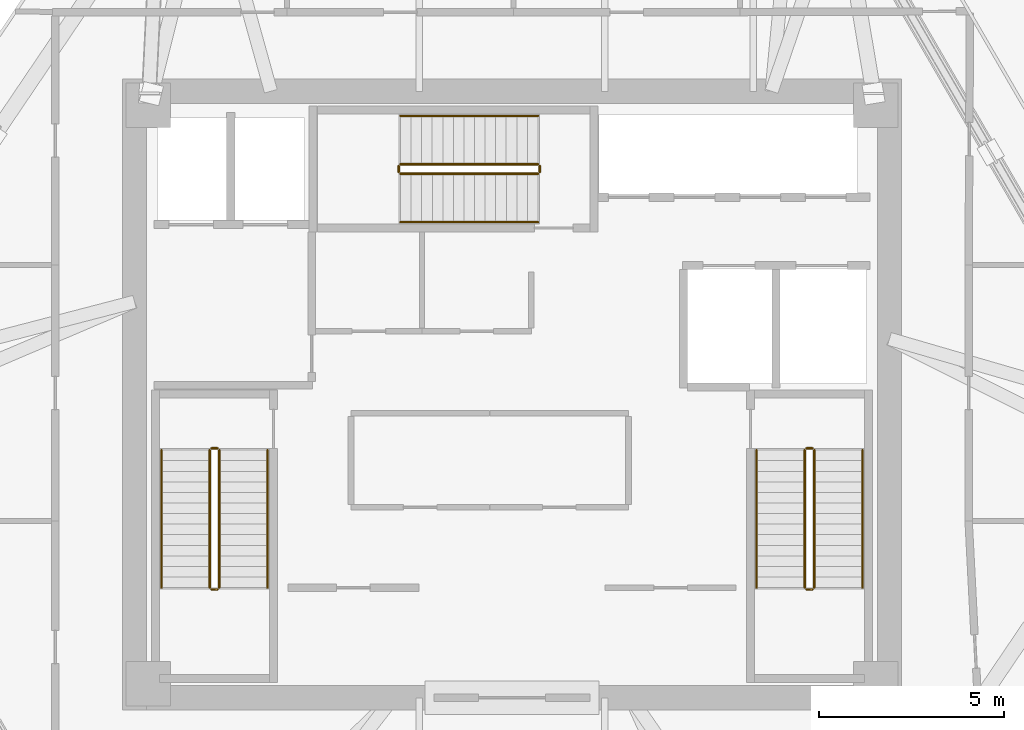
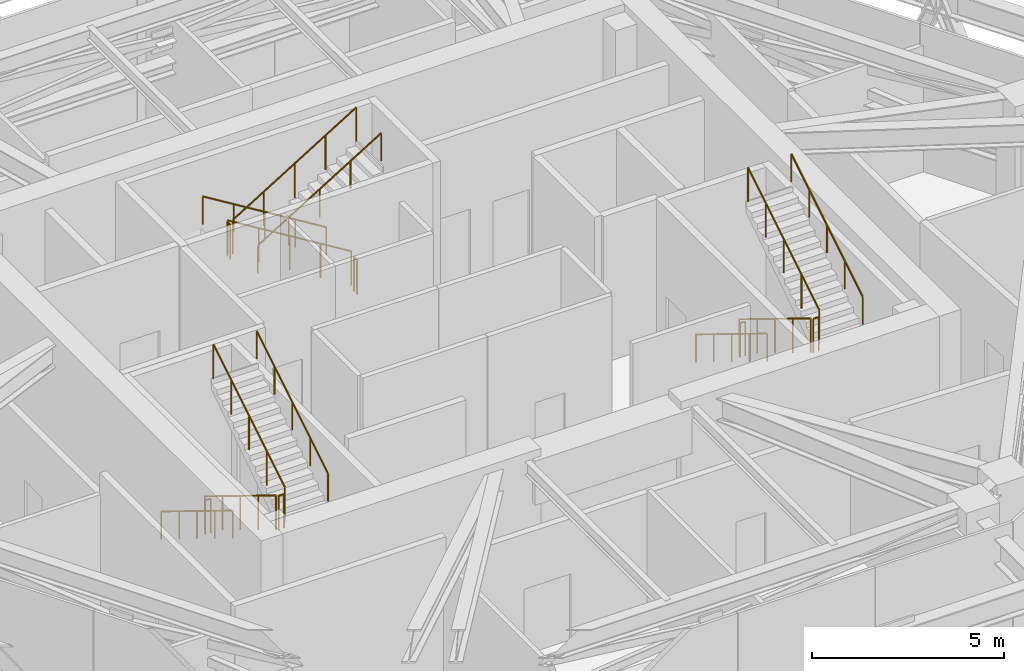
# One storey, part 10 of 10: 18 railings.
"""IFC4 building model written with IfcOpenShell, lengths in metres."""

import ifcopenshell
import ifcopenshell.guid

model = None  # the IFC model being written
_history = None  # IfcOwnerHistory: only IFC2X3 demands one
_inside = {}  # id of a spatial element -> (the spatial element, [elements in it])
_under = {}  # id of a project, library or spatial element -> (it, [spatial elements below it])
_declared = {}  # id of a project -> (the project, [libraries it declares])
_typed = {}  # id of a type object -> (the type object, [elements of that type])
_made_of = {}  # id of a material, layer set ... -> (it, [elements and type objects made of it])


def new_model(schema):
    """Start an empty IFC model of exactly this schema.

    Asked for "IFC4X3", IfcOpenShell would pick the latest addendum, in which some entities
    have other attributes; the version numbers below select the first issue.
    IFC2X3 requires an IfcOwnerHistory on every rooted entity: one is made here for all.
    """
    global model, _history
    if schema == "IFC4X3":
        model = ifcopenshell.file(schema_version=(4, 3, 0, 0))
    else:
        model = ifcopenshell.file(schema=schema)
    _inside.clear()
    _under.clear()
    _declared.clear()
    _typed.clear()
    _made_of.clear()
    _history = None
    if model.schema == "IFC2X3":
        org = make("IfcOrganization", Name="unknown")
        user = make(
            "IfcPersonAndOrganization",
            ThePerson=make("IfcPerson", FamilyName="unknown"),
            TheOrganization=org,
        )
        app = make(
            "IfcApplication",
            ApplicationDeveloper=org,
            Version="unknown",
            ApplicationFullName="unknown",
            ApplicationIdentifier="unknown",
        )
        _history = make(
            "IfcOwnerHistory",
            OwningUser=user,
            OwningApplication=app,
            ChangeAction="ADDED",
            CreationDate=0,
        )
    return model


def make(cls, **values):
    """One entity of the class cls with the attributes given. An attribute that is None is left unset."""
    return model.create_entity(
        cls, **{name: value for name, value in values.items() if value is not None}
    )


def rooted(cls, **values):
    """An entity with a GlobalId (a new one), such as an element, a storey or a relation."""
    return make(cls, GlobalId=ifcopenshell.guid.new(), OwnerHistory=_history, **values)


def si_unit(unit_type, name, prefix=None):
    """IfcSIUnit, for example si_unit("LENGTHUNIT", "METRE", prefix="MILLI")."""
    return make("IfcSIUnit", UnitType=unit_type, Prefix=prefix, Name=name)


def assignment(units):
    """IfcUnitAssignment: the units of a project."""
    return None if units is None else make("IfcUnitAssignment", Units=units)


def point(xyz):
    """IfcCartesianPoint."""
    return None if xyz is None else make("IfcCartesianPoint", Coordinates=xyz)


def direction(xyz):
    """IfcDirection."""
    return None if xyz is None else make("IfcDirection", DirectionRatios=xyz)


def frame(location, z_axis=None, x_axis=None):
    """IfcAxis2Placement3D, a coordinate frame: its origin and axes. An axis left out is left unset."""
    return make(
        "IfcAxis2Placement3D",
        Location=point(location),
        Axis=direction(z_axis),
        RefDirection=direction(x_axis),
    )


def frame_2d(location, x_axis=None):
    """IfcAxis2Placement2D, a coordinate frame in the plane: its origin and x axis."""
    return make(
        "IfcAxis2Placement2D", Location=point(location), RefDirection=direction(x_axis)
    )


def origin():
    """The frame at (0, 0, 0) with its axes left unset."""
    return frame((0.0, 0.0, 0.0))


def origin_2d():
    """The frame at (0, 0) in the plane with its x axis left unset."""
    return frame_2d((0.0, 0.0))


def place(relative_to, where):
    """IfcLocalPlacement: puts the frame where relative to a parent placement (None: the world)."""
    return make(
        "IfcLocalPlacement", PlacementRelTo=relative_to, RelativePlacement=where
    )


def context(
    kind, dimensions, precision=None, world=None, true_north=None, identifier=None
):
    """IfcGeometricRepresentationContext, for example the 3D "Model" context."""
    return make(
        "IfcGeometricRepresentationContext",
        ContextIdentifier=identifier,
        ContextType=kind,
        CoordinateSpaceDimension=dimensions,
        Precision=precision,
        WorldCoordinateSystem=world,
        TrueNorth=true_north,
    )


def subcontext(parent, identifier, kind, view, scale=None):
    """IfcGeometricRepresentationSubContext, for example "Body" below "Model"."""
    return make(
        "IfcGeometricRepresentationSubContext",
        ContextIdentifier=identifier,
        ContextType=kind,
        ParentContext=parent,
        TargetScale=scale,
        TargetView=view,
    )


def project(units=None, contexts=None):
    """IfcProject with its units and contexts."""
    return rooted(
        "IfcProject",
        Name="project",
        RepresentationContexts=contexts,
        UnitsInContext=assignment(units),
    )


def spatial(cls, under=None, at=None, **own):
    """A site, building, storey or space (cls), placed at a placement, below another one or the project."""
    s = rooted(cls, ObjectPlacement=at, **own)
    if under is not None:
        _under.setdefault(under.id(), (under, []))[1].append(s)
    return s


def profile(cls, at=None, kind="AREA", **sizes):
    """A parametric profile (cls). Its sizes go by their IFC names, for example OverallWidth=200.0."""
    return make(cls, ProfileType=kind, Position=at, **sizes)


def circle(**sizes):
    """IfcCircleProfileDef."""
    return profile("IfcCircleProfileDef", **sizes)


def extrude(swept, where, along, depth):
    """IfcExtrudedAreaSolid: the profile swept, set in the frame where, extruded along a direction by depth."""
    return make(
        "IfcExtrudedAreaSolid",
        SweptArea=swept,
        Position=where,
        ExtrudedDirection=direction(along),
        Depth=depth,
    )


def shape(context_of_items, identifier, shape_type, items):
    """IfcShapeRepresentation: the items that make up one representation, for example the "Body"."""
    return make(
        "IfcShapeRepresentation",
        ContextOfItems=context_of_items,
        RepresentationIdentifier=identifier,
        RepresentationType=shape_type,
        Items=items,
    )


def material(Name=None, Category=None):
    """IfcMaterial."""
    return make("IfcMaterial", Name=Name, Category=Category)


def made_of(thing, what):
    """Note that an element or type object is made of a material, layer set ...; save() writes the relation."""
    if what is not None:
        _made_of.setdefault(what.id(), (what, []))[1].append(thing)
    return thing


def type_object(cls, material=None, **own):
    """A type object (cls), such as IfcWallType, which elements share."""
    return made_of(rooted(cls, **own), material)


def element(
    cls,
    number,
    at=None,
    inside=None,
    cuts=None,
    type_object=None,
    material=None,
    context=None,
    identifier="Body",
    shape_type=None,
    held_by="IfcProductDefinitionShape",
    body=None,
    shapes=None,
    **own,
):
    """One element of the class cls, such as IfcWall. Its Tag is "e" and its number.

    at: its placement. inside: the storey or other place that contains it. cuts: it is an
    opening in that element (IfcRelVoidsElement). A single representation is given by context,
    identifier, shape_type and body (its items); several are given by shapes. held_by: the class
    of the entity that holds the representations. save() writes the other relations.
    """
    e = rooted(cls, Tag="e%d" % number, ObjectPlacement=at, **own)
    if body is not None:
        shapes = [shape(context, identifier, shape_type, body)]
    if shapes is not None:
        e.Representation = make(held_by, Representations=shapes)
    if inside is not None:
        _inside.setdefault(inside.id(), (inside, []))[1].append(e)
    if cuts is not None:
        rooted(
            "IfcRelVoidsElement", RelatingBuildingElement=cuts, RelatedOpeningElement=e
        )
    if type_object is not None:
        _typed.setdefault(type_object.id(), (type_object, []))[1].append(e)
    return made_of(e, material)


def aggregate(whole, parts):
    """IfcRelAggregates: a whole, such as a stair, and the parts it consists of."""
    return rooted("IfcRelAggregates", RelatingObject=whole, RelatedObjects=parts)


def save(model, path):
    """Write the relations noted so far, then the file.

    IfcRelAggregates (storeys below a building ...), IfcRelContainedInSpatialStructure (elements
    in a storey), IfcRelDefinesByType, IfcRelAssociatesMaterial and IfcRelDeclares: one each for
    every whole, place, type object, material and project.
    """
    for whole, parts in _under.values():
        aggregate(whole, parts)
    for where, things in _inside.values():
        rooted(
            "IfcRelContainedInSpatialStructure",
            RelatedElements=things,
            RelatingStructure=where,
        )
    for kind, things in _typed.values():
        rooted("IfcRelDefinesByType", RelatedObjects=things, RelatingType=kind)
    for what, things in _made_of.values():
        rooted("IfcRelAssociatesMaterial", RelatedObjects=things, RelatingMaterial=what)
    for by, libraries in _declared.values():
        rooted("IfcRelDeclares", RelatingContext=by, RelatedDefinitions=libraries)
    model.write(path)


model = new_model("IFC4")

# Units and contexts
model_context = context("Model", 3, precision=1e-05, world=origin(), true_north=direction((0.0, 1.0)))
body_context = subcontext(model_context, "Body", "Model", "MODEL_VIEW")
ifc_project = project(units=[si_unit("LENGTHUNIT", "METRE"), si_unit("AREAUNIT", "SQUARE_METRE"), si_unit("VOLUMEUNIT", "CUBIC_METRE"), si_unit("PLANEANGLEUNIT", "RADIAN"), si_unit("MASSUNIT", "GRAM", prefix="KILO")], contexts=[model_context])

# Site, building, storey
site_placement = place(None, origin())
site = spatial("IfcSite", under=ifc_project, at=site_placement, CompositionType="ELEMENT")
building_placement = place(site_placement, origin())
building = spatial("IfcBuilding", under=site, at=building_placement, Name="Durnholm Broadcast Tower", CompositionType="ELEMENT")
storey_placement = place(building_placement, frame((0.0, 0.0, 213.39990234375)))
storey = spatial("IfcBuildingStorey", under=building, at=storey_placement, Name="L59", CompositionType="ELEMENT", Elevation=213.39990234375)

# Railings
ifc_material_1 = material(Name="Painted Tubular Steel Stair Guardrail", Category="steel")
railing_type_1 = type_object("IfcRailingType", Name="RAIL-ST-GRD", PredefinedType="GUARDRAIL", material=ifc_material_1)
railing_1_placement = place(storey_placement, frame((-8.14990234375, -1.5, 0.175048828125)))
element("IfcRailing", 1, at=railing_1_placement, inside=storey, type_object=railing_type_1, Name="L59 ST-1 stair guard 1", PredefinedType="GUARDRAIL", context=body_context, shape_type="SweptSolid", body=[
    extrude(circle(Radius=0.02392578125, at=origin_2d()), frame((0.0, 0.0, 1.076171875), z_axis=(0.0, -0.852161122236, 0.523279487224), x_axis=(1.0, 0.0, 0.0)), (0.0, 0.0, 1.0), 4.347900390625),
    extrude(circle(Radius=0.02099609375, at=origin_2d()), origin(), (0.0, 0.0, 1.0), 1.052001953125),
    extrude(circle(Radius=0.02099609375, at=origin_2d()), frame((0.0, -0.92626953125, 0.56884765625)), (0.0, 0.0, 1.0), 1.052001953125),
    extrude(circle(Radius=0.02099609375, at=origin_2d()), frame((0.0, -1.8525390625, 1.1376953125)), (0.0, 0.0, 1.0), 1.052001953125),
    extrude(circle(Radius=0.02099609375, at=origin_2d()), frame((0.0, -2.77880859375, 1.706298828125)), (0.0, 0.0, 1.0), 1.052001953125),
    extrude(circle(Radius=0.02099609375, at=origin_2d()), frame((0.0, -3.705078125, 2.275146484375)), (0.0, 0.0, 1.0), 1.052001953125),
])
railing_2_placement = place(storey_placement, frame((-8.10009765625, -5.2548828125, 2.4501953125)))
element("IfcRailing", 2, at=railing_2_placement, inside=storey, type_object=railing_type_1, Name="L59 ST-1 stair guard 2", PredefinedType="GUARDRAIL", context=body_context, shape_type="SweptSolid", body=[
    extrude(circle(Radius=0.02392578125, at=origin_2d()), frame((0.0, 0.0, 1.076171875), z_axis=(1.0, 0.0, 0.0), x_axis=(0.0, 1.0, 0.0)), (0.0, 0.0, 1.0), 0.16015625),
    extrude(circle(Radius=0.02099609375, at=origin_2d()), origin(), (0.0, 0.0, 1.0), 1.052001953125),
    extrude(circle(Radius=0.02099609375, at=origin_2d()), frame((0.16015625, 0.0, 0.0)), (0.0, 0.0, 1.0), 1.052001953125),
])
railing_3_placement = place(storey_placement, frame((-7.889892578125, -5.205078125, 2.625)))
element("IfcRailing", 3, at=railing_3_placement, inside=storey, type_object=railing_type_1, Name="L59 ST-1 stair guard 3", PredefinedType="GUARDRAIL", context=body_context, shape_type="SweptSolid", body=[
    extrude(circle(Radius=0.02392578125, at=origin_2d()), frame((0.0, 0.0, 1.076171875), z_axis=(0.0, 0.852161122236, 0.523279487224), x_axis=(-1.0, 0.0, 0.0)), (0.0, 0.0, 1.0), 4.347900390625),
    extrude(circle(Radius=0.02099609375, at=origin_2d()), origin(), (0.0, 0.0, 1.0), 1.052001953125),
    extrude(circle(Radius=0.02099609375, at=origin_2d()), frame((0.0, 0.92626953125, 0.56884765625)), (0.0, 0.0, 1.0), 1.052001953125),
    extrude(circle(Radius=0.02099609375, at=origin_2d()), frame((0.0, 1.8525390625, 1.1376953125)), (0.0, 0.0, 1.0), 1.052001953125),
    extrude(circle(Radius=0.02099609375, at=origin_2d()), frame((0.0, 2.77880859375, 1.706298828125)), (0.0, 0.0, 1.0), 1.052001953125),
    extrude(circle(Radius=0.02099609375, at=origin_2d()), frame((0.0, 3.705078125, 2.275146484375)), (0.0, 0.0, 1.0), 1.052001953125),
])
railing_4_placement = place(storey_placement, frame((-8.10009765625, -1.449951171875, 0.0)))
element("IfcRailing", 4, at=railing_4_placement, inside=storey, type_object=railing_type_1, Name="L59 ST-1 stair guard 4", PredefinedType="GUARDRAIL", context=body_context, shape_type="SweptSolid", body=[
    extrude(circle(Radius=0.02392578125, at=origin_2d()), frame((0.0, 0.0, 1.076171875), z_axis=(1.0, 0.0, 0.0), x_axis=(0.0, 1.0, 0.0)), (0.0, 0.0, 1.0), 0.16015625),
    extrude(circle(Radius=0.02099609375, at=origin_2d()), origin(), (0.0, 0.0, 1.0), 1.052001953125),
    extrude(circle(Radius=0.02099609375, at=origin_2d()), frame((0.16015625, 0.0, 0.0)), (0.0, 0.0, 1.0), 1.052001953125),
])
railing_5_placement = place(storey_placement, frame((7.889892578125, -1.5, 0.175048828125)))
element("IfcRailing", 5, at=railing_5_placement, inside=storey, type_object=railing_type_1, Name="L59 ST-2 stair guard 1", PredefinedType="GUARDRAIL", context=body_context, shape_type="SweptSolid", body=[
    extrude(circle(Radius=0.02392578125, at=origin_2d()), frame((0.0, 0.0, 1.076171875), z_axis=(0.0, -0.852161122236, 0.523279487224), x_axis=(1.0, 0.0, 0.0)), (0.0, 0.0, 1.0), 4.347900390625),
    extrude(circle(Radius=0.02099609375, at=origin_2d()), origin(), (0.0, 0.0, 1.0), 1.052001953125),
    extrude(circle(Radius=0.02099609375, at=origin_2d()), frame((0.0, -0.92626953125, 0.56884765625)), (0.0, 0.0, 1.0), 1.052001953125),
    extrude(circle(Radius=0.02099609375, at=origin_2d()), frame((0.0, -1.8525390625, 1.1376953125)), (0.0, 0.0, 1.0), 1.052001953125),
    extrude(circle(Radius=0.02099609375, at=origin_2d()), frame((0.0, -2.77880859375, 1.706298828125)), (0.0, 0.0, 1.0), 1.052001953125),
    extrude(circle(Radius=0.02099609375, at=origin_2d()), frame((0.0, -3.705078125, 2.275146484375)), (0.0, 0.0, 1.0), 1.052001953125),
])
railing_6_placement = place(storey_placement, frame((7.93994140625, -5.2548828125, 2.4501953125)))
element("IfcRailing", 6, at=railing_6_placement, inside=storey, type_object=railing_type_1, Name="L59 ST-2 stair guard 2", PredefinedType="GUARDRAIL", context=body_context, shape_type="SweptSolid", body=[
    extrude(circle(Radius=0.02392578125, at=origin_2d()), frame((0.0, 0.0, 1.076171875), z_axis=(1.0, 0.0, 0.0), x_axis=(0.0, 1.0, 0.0)), (0.0, 0.0, 1.0), 0.16015625),
    extrude(circle(Radius=0.02099609375, at=origin_2d()), origin(), (0.0, 0.0, 1.0), 1.052001953125),
    extrude(circle(Radius=0.02099609375, at=origin_2d()), frame((0.16015625, 0.0, 0.0)), (0.0, 0.0, 1.0), 1.052001953125),
])
railing_7_placement = place(storey_placement, frame((8.14990234375, -5.205078125, 2.625)))
element("IfcRailing", 7, at=railing_7_placement, inside=storey, type_object=railing_type_1, Name="L59 ST-2 stair guard 3", PredefinedType="GUARDRAIL", context=body_context, shape_type="SweptSolid", body=[
    extrude(circle(Radius=0.02392578125, at=origin_2d()), frame((0.0, 0.0, 1.076171875), z_axis=(0.0, 0.852161122236, 0.523279487224), x_axis=(-1.0, 0.0, 0.0)), (0.0, 0.0, 1.0), 4.347900390625),
    extrude(circle(Radius=0.02099609375, at=origin_2d()), origin(), (0.0, 0.0, 1.0), 1.052001953125),
    extrude(circle(Radius=0.02099609375, at=origin_2d()), frame((0.0, 0.92626953125, 0.56884765625)), (0.0, 0.0, 1.0), 1.052001953125),
    extrude(circle(Radius=0.02099609375, at=origin_2d()), frame((0.0, 1.8525390625, 1.1376953125)), (0.0, 0.0, 1.0), 1.052001953125),
    extrude(circle(Radius=0.02099609375, at=origin_2d()), frame((0.0, 2.77880859375, 1.706298828125)), (0.0, 0.0, 1.0), 1.052001953125),
    extrude(circle(Radius=0.02099609375, at=origin_2d()), frame((0.0, 3.705078125, 2.275146484375)), (0.0, 0.0, 1.0), 1.052001953125),
])
railing_8_placement = place(storey_placement, frame((7.93994140625, -1.449951171875, 0.0)))
element("IfcRailing", 8, at=railing_8_placement, inside=storey, type_object=railing_type_1, Name="L59 ST-2 stair guard 4", PredefinedType="GUARDRAIL", context=body_context, shape_type="SweptSolid", body=[
    extrude(circle(Radius=0.02392578125, at=origin_2d()), frame((0.0, 0.0, 1.076171875), z_axis=(1.0, 0.0, 0.0), x_axis=(0.0, 1.0, 0.0)), (0.0, 0.0, 1.0), 0.16015625),
    extrude(circle(Radius=0.02099609375, at=origin_2d()), origin(), (0.0, 0.0, 1.0), 1.052001953125),
    extrude(circle(Radius=0.02099609375, at=origin_2d()), frame((0.16015625, 0.0, 0.0)), (0.0, 0.0, 1.0), 1.052001953125),
])
railing_9_placement = place(storey_placement, frame((0.699951171875, 6.2099609375, 0.175048828125)))
element("IfcRailing", 9, at=railing_9_placement, inside=storey, type_object=railing_type_1, Name="L59 ST-3 stair guard 1", PredefinedType="GUARDRAIL", context=body_context, shape_type="SweptSolid", body=[
    extrude(circle(Radius=0.02392578125, at=origin_2d()), frame((0.0, 0.0, 1.076171875), z_axis=(-0.852145745541, 0.0, 0.523304527361), x_axis=(0.0, -1.0, 0.0)), (0.0, 0.0, 1.0), 4.34765625),
    extrude(circle(Radius=0.02099609375, at=origin_2d()), origin(), (0.0, 0.0, 1.0), 1.052001953125),
    extrude(circle(Radius=0.02099609375, at=origin_2d()), frame((-0.92626953125, 0.0, 0.56884765625)), (0.0, 0.0, 1.0), 1.052001953125),
    extrude(circle(Radius=0.02099609375, at=origin_2d()), frame((-1.8525390625, 0.0, 1.1376953125)), (0.0, 0.0, 1.0), 1.052001953125),
    extrude(circle(Radius=0.02099609375, at=origin_2d()), frame((-2.778564453125, 0.0, 1.706298828125)), (0.0, 0.0, 1.0), 1.052001953125),
    extrude(circle(Radius=0.02099609375, at=origin_2d()), frame((-3.704833984375, 0.0, 2.275146484375)), (0.0, 0.0, 1.0), 1.052001953125),
])
railing_10_placement = place(storey_placement, frame((-3.054931640625, 6.159912109375, 2.4501953125)))
element("IfcRailing", 10, at=railing_10_placement, inside=storey, type_object=railing_type_1, Name="L59 ST-3 stair guard 2", PredefinedType="GUARDRAIL", context=body_context, shape_type="SweptSolid", body=[
    extrude(circle(Radius=0.02392578125, at=origin_2d()), frame((0.0, 0.0, 1.076171875), z_axis=(0.0, -1.0, 0.0), x_axis=(1.0, 0.0, 0.0)), (0.0, 0.0, 1.0), 0.159912109375),
    extrude(circle(Radius=0.02099609375, at=origin_2d()), origin(), (0.0, 0.0, 1.0), 1.052001953125),
    extrude(circle(Radius=0.02099609375, at=origin_2d()), frame((0.0, -0.159912109375, 0.0)), (0.0, 0.0, 1.0), 1.052001953125),
])
railing_11_placement = place(storey_placement, frame((-3.0048828125, 5.949951171875, 2.625)))
element("IfcRailing", 11, at=railing_11_placement, inside=storey, type_object=railing_type_1, Name="L59 ST-3 stair guard 3", PredefinedType="GUARDRAIL", context=body_context, shape_type="SweptSolid", body=[
    extrude(circle(Radius=0.02392578125, at=origin_2d()), frame((0.0, 0.0, 1.076171875), z_axis=(0.852145745541, 0.0, 0.523304527361), x_axis=(0.0, 1.0, 0.0)), (0.0, 0.0, 1.0), 4.34765625),
    extrude(circle(Radius=0.02099609375, at=origin_2d()), origin(), (0.0, 0.0, 1.0), 1.052001953125),
    extrude(circle(Radius=0.02099609375, at=origin_2d()), frame((0.92626953125, 0.0, 0.56884765625)), (0.0, 0.0, 1.0), 1.052001953125),
    extrude(circle(Radius=0.02099609375, at=origin_2d()), frame((1.8525390625, 0.0, 1.1376953125)), (0.0, 0.0, 1.0), 1.052001953125),
    extrude(circle(Radius=0.02099609375, at=origin_2d()), frame((2.778564453125, 0.0, 1.706298828125)), (0.0, 0.0, 1.0), 1.052001953125),
    extrude(circle(Radius=0.02099609375, at=origin_2d()), frame((3.704833984375, 0.0, 2.275146484375)), (0.0, 0.0, 1.0), 1.052001953125),
])
railing_12_placement = place(storey_placement, frame((0.75, 6.159912109375, 0.0)))
element("IfcRailing", 12, at=railing_12_placement, inside=storey, type_object=railing_type_1, Name="L59 ST-3 stair guard 4", PredefinedType="GUARDRAIL", context=body_context, shape_type="SweptSolid", body=[
    extrude(circle(Radius=0.02392578125, at=origin_2d()), frame((0.0, 0.0, 1.076171875), z_axis=(0.0, -1.0, 0.0), x_axis=(1.0, 0.0, 0.0)), (0.0, 0.0, 1.0), 0.159912109375),
    extrude(circle(Radius=0.02099609375, at=origin_2d()), origin(), (0.0, 0.0, 1.0), 1.052001953125),
    extrude(circle(Radius=0.02099609375, at=origin_2d()), frame((0.0, -0.159912109375, 0.0)), (0.0, 0.0, 1.0), 1.052001953125),
])
ifc_material_2 = material(Name="Brushed Stainless Steel Handrail", Category="steel")
railing_type_2 = type_object("IfcRailingType", Name="RAIL-ST-HND", PredefinedType="HANDRAIL", material=ifc_material_2)
railing_13_placement = place(storey_placement, frame((-9.449951171875, -1.5, 0.35009765625)))
element("IfcRailing", 13, at=railing_13_placement, inside=storey, type_object=railing_type_2, Name="L59 ST-1 stair handrail 1", PredefinedType="HANDRAIL", context=body_context, shape_type="SweptSolid", body=[
    extrude(circle(Radius=0.02392578125, at=origin_2d()), frame((0.0, 0.0, 0.8759765625), z_axis=(0.0, -0.85218616116, 0.523238709126), x_axis=(1.0, 0.0, 0.0)), (0.0, 0.0, 1.0), 4.34765625),
    extrude(circle(Radius=0.02099609375, at=origin_2d()), origin(), (0.0, 0.0, 1.0), 0.851806640625),
    extrude(circle(Radius=0.02099609375, at=origin_2d()), frame((0.0, -0.92626953125, 0.56884765625)), (0.0, 0.0, 1.0), 0.851806640625),
    extrude(circle(Radius=0.02099609375, at=origin_2d()), frame((0.0, -1.8525390625, 1.137451171875)), (0.0, 0.0, 1.0), 0.851806640625),
    extrude(circle(Radius=0.02099609375, at=origin_2d()), frame((0.0, -2.77880859375, 1.7060546875)), (0.0, 0.0, 1.0), 0.851806640625),
    extrude(circle(Radius=0.02099609375, at=origin_2d()), frame((0.0, -3.705078125, 2.27490234375)), (0.0, 0.0, 1.0), 0.851806640625),
])
railing_14_placement = place(storey_placement, frame((-6.590087890625, -5.205078125, 2.800048828125)))
element("IfcRailing", 14, at=railing_14_placement, inside=storey, type_object=railing_type_2, Name="L59 ST-1 stair handrail 2", PredefinedType="HANDRAIL", context=body_context, shape_type="SweptSolid", body=[
    extrude(circle(Radius=0.02392578125, at=origin_2d()), frame((0.0, 0.0, 0.8759765625), z_axis=(0.0, 0.852161122236, 0.523279487224), x_axis=(-1.0, 0.0, 0.0)), (0.0, 0.0, 1.0), 4.347900390625),
    extrude(circle(Radius=0.02099609375, at=origin_2d()), origin(), (0.0, 0.0, 1.0), 0.851806640625),
    extrude(circle(Radius=0.02099609375, at=origin_2d()), frame((0.0, 0.92626953125, 0.56884765625)), (0.0, 0.0, 1.0), 0.851806640625),
    extrude(circle(Radius=0.02099609375, at=origin_2d()), frame((0.0, 1.8525390625, 1.1376953125)), (0.0, 0.0, 1.0), 0.851806640625),
    extrude(circle(Radius=0.02099609375, at=origin_2d()), frame((0.0, 2.77880859375, 1.706298828125)), (0.0, 0.0, 1.0), 0.851806640625),
    extrude(circle(Radius=0.02099609375, at=origin_2d()), frame((0.0, 3.705078125, 2.275146484375)), (0.0, 0.0, 1.0), 0.851806640625),
])
railing_15_placement = place(storey_placement, frame((6.590087890625, -1.5, 0.35009765625)))
element("IfcRailing", 15, at=railing_15_placement, inside=storey, type_object=railing_type_2, Name="L59 ST-2 stair handrail 1", PredefinedType="HANDRAIL", context=body_context, shape_type="SweptSolid", body=[
    extrude(circle(Radius=0.02392578125, at=origin_2d()), frame((0.0, 0.0, 0.8759765625), z_axis=(0.0, -0.85218616116, 0.523238709126), x_axis=(1.0, 0.0, 0.0)), (0.0, 0.0, 1.0), 4.34765625),
    extrude(circle(Radius=0.02099609375, at=origin_2d()), origin(), (0.0, 0.0, 1.0), 0.851806640625),
    extrude(circle(Radius=0.02099609375, at=origin_2d()), frame((0.0, -0.92626953125, 0.56884765625)), (0.0, 0.0, 1.0), 0.851806640625),
    extrude(circle(Radius=0.02099609375, at=origin_2d()), frame((0.0, -1.8525390625, 1.137451171875)), (0.0, 0.0, 1.0), 0.851806640625),
    extrude(circle(Radius=0.02099609375, at=origin_2d()), frame((0.0, -2.77880859375, 1.7060546875)), (0.0, 0.0, 1.0), 0.851806640625),
    extrude(circle(Radius=0.02099609375, at=origin_2d()), frame((0.0, -3.705078125, 2.27490234375)), (0.0, 0.0, 1.0), 0.851806640625),
])
railing_16_placement = place(storey_placement, frame((9.449951171875, -5.205078125, 2.800048828125)))
element("IfcRailing", 16, at=railing_16_placement, inside=storey, type_object=railing_type_2, Name="L59 ST-2 stair handrail 2", PredefinedType="HANDRAIL", context=body_context, shape_type="SweptSolid", body=[
    extrude(circle(Radius=0.02392578125, at=origin_2d()), frame((0.0, 0.0, 0.8759765625), z_axis=(0.0, 0.852161122236, 0.523279487224), x_axis=(-1.0, 0.0, 0.0)), (0.0, 0.0, 1.0), 4.347900390625),
    extrude(circle(Radius=0.02099609375, at=origin_2d()), origin(), (0.0, 0.0, 1.0), 0.851806640625),
    extrude(circle(Radius=0.02099609375, at=origin_2d()), frame((0.0, 0.92626953125, 0.56884765625)), (0.0, 0.0, 1.0), 0.851806640625),
    extrude(circle(Radius=0.02099609375, at=origin_2d()), frame((0.0, 1.8525390625, 1.1376953125)), (0.0, 0.0, 1.0), 0.851806640625),
    extrude(circle(Radius=0.02099609375, at=origin_2d()), frame((0.0, 2.77880859375, 1.706298828125)), (0.0, 0.0, 1.0), 0.851806640625),
    extrude(circle(Radius=0.02099609375, at=origin_2d()), frame((0.0, 3.705078125, 2.275146484375)), (0.0, 0.0, 1.0), 0.851806640625),
])
railing_17_placement = place(storey_placement, frame((0.699951171875, 7.510009765625, 0.35009765625)))
element("IfcRailing", 17, at=railing_17_placement, inside=storey, type_object=railing_type_2, Name="L59 ST-3 stair handrail 1", PredefinedType="HANDRAIL", context=body_context, shape_type="SweptSolid", body=[
    extrude(circle(Radius=0.02392578125, at=origin_2d()), frame((0.0, 0.0, 0.8759765625), z_axis=(-0.85217078641, 0.0, 0.523263748782), x_axis=(0.0, -1.0, 0.0)), (0.0, 0.0, 1.0), 4.347412109375),
    extrude(circle(Radius=0.02099609375, at=origin_2d()), origin(), (0.0, 0.0, 1.0), 0.851806640625),
    extrude(circle(Radius=0.02099609375, at=origin_2d()), frame((-0.92626953125, 0.0, 0.56884765625)), (0.0, 0.0, 1.0), 0.851806640625),
    extrude(circle(Radius=0.02099609375, at=origin_2d()), frame((-1.8525390625, 0.0, 1.137451171875)), (0.0, 0.0, 1.0), 0.851806640625),
    extrude(circle(Radius=0.02099609375, at=origin_2d()), frame((-2.778564453125, 0.0, 1.7060546875)), (0.0, 0.0, 1.0), 0.851806640625),
    extrude(circle(Radius=0.02099609375, at=origin_2d()), frame((-3.704833984375, 0.0, 2.27490234375)), (0.0, 0.0, 1.0), 0.851806640625),
])
railing_18_placement = place(storey_placement, frame((-3.0048828125, 4.64990234375, 2.800048828125)))
element("IfcRailing", 18, at=railing_18_placement, inside=storey, type_object=railing_type_2, Name="L59 ST-3 stair handrail 2", PredefinedType="HANDRAIL", context=body_context, shape_type="SweptSolid", body=[
    extrude(circle(Radius=0.02392578125, at=origin_2d()), frame((0.0, 0.0, 0.8759765625), z_axis=(0.852145745541, 0.0, 0.523304527361), x_axis=(0.0, 1.0, 0.0)), (0.0, 0.0, 1.0), 4.34765625),
    extrude(circle(Radius=0.02099609375, at=origin_2d()), origin(), (0.0, 0.0, 1.0), 0.851806640625),
    extrude(circle(Radius=0.02099609375, at=origin_2d()), frame((0.92626953125, 0.0, 0.56884765625)), (0.0, 0.0, 1.0), 0.851806640625),
    extrude(circle(Radius=0.02099609375, at=origin_2d()), frame((1.8525390625, 0.0, 1.1376953125)), (0.0, 0.0, 1.0), 0.851806640625),
    extrude(circle(Radius=0.02099609375, at=origin_2d()), frame((2.778564453125, 0.0, 1.706298828125)), (0.0, 0.0, 1.0), 0.851806640625),
    extrude(circle(Radius=0.02099609375, at=origin_2d()), frame((3.704833984375, 0.0, 2.275146484375)), (0.0, 0.0, 1.0), 0.851806640625),
])

save(model, "model.ifc")
